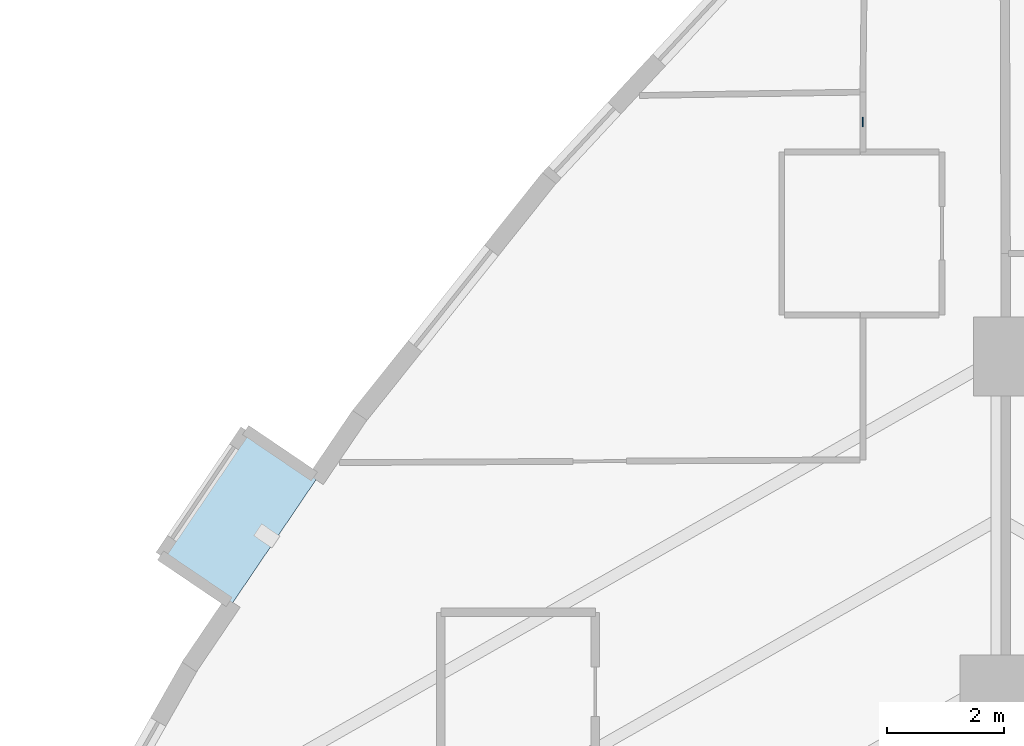
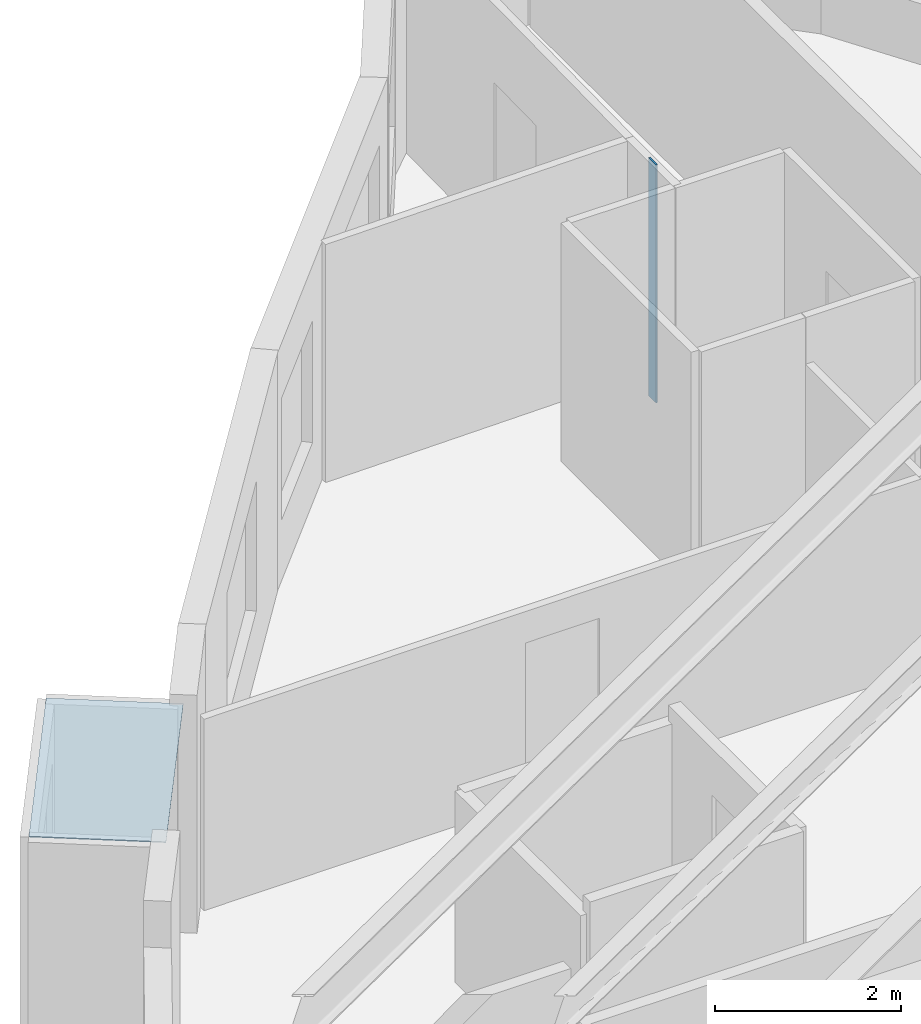
# One storey, part 5 of 13: 2 plates.
"""IFC4 building model written with IfcOpenShell, lengths in metres."""

from ifc_helpers import new_model, si_unit, direction, frame, origin, origin_2d, place, context, subcontext, project, spatial, polyline, rectangle, outline, extrude, material, layer, layer_set, type_object, element, save


model = new_model("IFC4")

# Units and contexts
model_context = context("Model", 3, precision=1e-05, world=origin(), true_north=direction((0.0, 1.0)))
body_context = subcontext(model_context, "Body", "Model", "MODEL_VIEW")
ifc_project = project(units=[si_unit("LENGTHUNIT", "METRE"), si_unit("AREAUNIT", "SQUARE_METRE"), si_unit("VOLUMEUNIT", "CUBIC_METRE"), si_unit("PLANEANGLEUNIT", "RADIAN"), si_unit("MASSUNIT", "GRAM", prefix="KILO")], contexts=[model_context])

# Site, building, storey
site_placement = place(None, origin())
site = spatial("IfcSite", under=ifc_project, at=site_placement, CompositionType="ELEMENT")
building_placement = place(site_placement, origin())
building = spatial("IfcBuilding", under=site, at=building_placement, Name="Miruveldt Soraemaru", CompositionType="ELEMENT")
storey_placement = place(building_placement, frame((0.0, 0.0, 76.800048828125)))
storey = spatial("IfcBuildingStorey", under=building, at=storey_placement, Name="L21", CompositionType="ELEMENT", Elevation=76.800048828125)

# Plates
ifc_material_1 = material(Name="Anodised aluminium EN AW-6063 T6", Category="aluminium")
ifc_layer_1 = layer(ifc_material_1, 0.02001953125, Name="Anodised aluminium EN AW-6063 T6", Category="aluminium")
ifc_layer_set_1 = layer_set([ifc_layer_1], Name="Anodised aluminium EN AW-6063 T6")
plate_type_1 = type_object("IfcPlateType", Name="PLT-PART-TRIM", PredefinedType="SHEET", material=ifc_layer_set_1)
plate_1_placement = place(storey_placement, frame((41.655029296875, 67.1923828125, 0.0), z_axis=(0.0, 0.0, 1.0), x_axis=(0.0, -1.0, 0.0)))
element("IfcPlate", 1, at=plate_1_placement, inside=storey, type_object=plate_type_1, Name="L21 Partition Step Corner Trim Plate 018", PredefinedType="SHEET", context=body_context, shape_type="SweptSolid", body=[
    extrude(rectangle(XDim=0.159912109375, YDim=0.02001953125, at=origin_2d()), origin(), (0.0, 0.0, 1.0), 3.125),
])
ifc_material_2 = material(Name="Standing-seam titanium-zinc sheet", Category="aluminium")
ifc_layer_2 = layer(ifc_material_2, 0.011962890625, Name="Standing-seam titanium-zinc sheet", Category="aluminium")
ifc_layer_set_2 = layer_set([ifc_layer_2], Name="Standing-seam titanium-zinc sheet")
plate_type_2 = type_object("IfcPlateType", Name="PLT-ZINC-12", PredefinedType="SHEET", material=ifc_layer_set_2)
plate_2_placement = place(storey_placement, frame((0.0, 0.0, 2.974853515625)))
element("IfcPlate", 2, at=plate_2_placement, inside=storey, type_object=plate_type_2, Name="L21 Bay Window Zinc Hood Sheet 1", PredefinedType="SHEET", context=body_context, shape_type="SweptSolid", body=[
    extrude(outline(polyline([(32.289306640625, 61.077392578125), (30.831298828125, 58.9248046875), (29.60595703125, 59.754638671875), (31.064208984375, 61.9072265625), (32.289306640625, 61.077392578125)])), origin(), (0.0, 0.0, 1.0), 0.01220703125),
])

save(model, "model.ifc")
